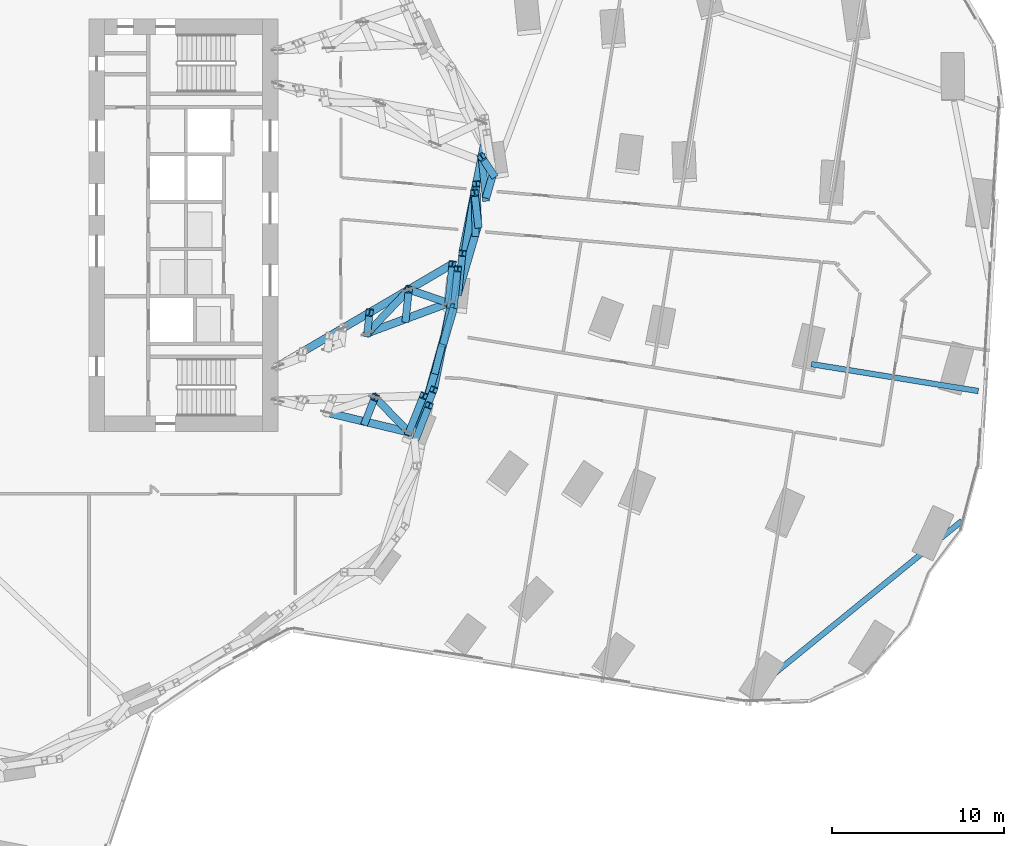
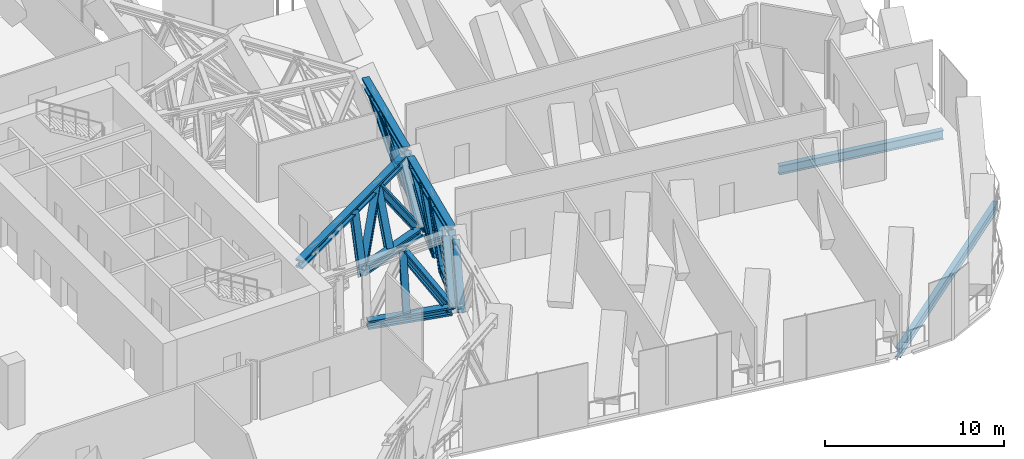
# One storey, part 10 of 39: 31 members, 2 beams.
"""IFC4 building model written with IfcOpenShell, lengths in metres."""

from ifc_helpers import new_model, si_unit, direction, frame, origin, origin_2d, place, context, subcontext, project, spatial, i_section, extrude, material, material_profile, profile_set, type_object, element, save


model = new_model("IFC4")

# Units and contexts
model_context = context("Model", 3, precision=1e-05, world=origin(), true_north=direction((0.0, 1.0)))
body_context = subcontext(model_context, "Body", "Model", "MODEL_VIEW")
ifc_project = project(units=[si_unit("LENGTHUNIT", "METRE"), si_unit("AREAUNIT", "SQUARE_METRE"), si_unit("VOLUMEUNIT", "CUBIC_METRE"), si_unit("PLANEANGLEUNIT", "RADIAN"), si_unit("MASSUNIT", "GRAM", prefix="KILO")], contexts=[model_context])

# Site, building, storey
site_placement = place(None, origin())
site = spatial("IfcSite", under=ifc_project, at=site_placement, CompositionType="ELEMENT")
building_placement = place(site_placement, origin())
building = spatial("IfcBuilding", under=site, at=building_placement, Name="Orlundy Tower", CompositionType="ELEMENT")
storey_placement = place(building_placement, frame((0.0, 0.0, 141.199951171875)))
storey = spatial("IfcBuildingStorey", under=building, at=storey_placement, Name="L36", CompositionType="ELEMENT", Elevation=141.199951171875)

# Members
ifc_material_1 = material(Name="Steel ASTM A992 Gr 50", Category="steel")
ifc_material_profile_1 = material_profile(ifc_material_1, i_section(OverallWidth=0.4423828125, OverallDepth=0.531494140625, WebThickness=0.06591796875, FlangeThickness=0.105712890625, at=origin_2d()), Name="W14X605")
ifc_profile_set_1 = profile_set([ifc_material_profile_1], Name="Steel ASTM A992 Gr 50")
member_type_1 = type_object("IfcMemberType", Name="BELT TRUSS chord W14X605", PredefinedType="CHORD", material=ifc_profile_set_1)
member_1_placement = place(storey_placement, frame((27.20361328125, -11.69091796875, 0.28466796875), z_axis=(0.280626617513, 0.959817014614, 0.0), x_axis=(-0.959817014614, 0.280626617513, 0.0)))
element("IfcMember", 1, at=member_1_placement, inside=storey, type_object=member_type_1, Name="Belt truss bottom chord BT-11", PredefinedType="CHORD", context=body_context, shape_type="SweptSolid", body=[
    extrude(i_section(OverallWidth=0.4423828125, OverallDepth=0.531494140625, WebThickness=0.06591796875, FlangeThickness=0.105712890625, at=origin_2d()), origin(), (0.0, 0.0, 1.0), 3.365966796875),
])
member_2_placement = place(storey_placement, frame((28.597412109375, -6.924560546875, 0.28466796875), z_axis=(0.280505801426, 0.959852329979, 0.0), x_axis=(-0.959852329979, 0.280505801426, 0.0)))
element("IfcMember", 2, at=member_2_placement, inside=storey, type_object=member_type_1, Name="Belt truss bottom chord BT-112", PredefinedType="CHORD", context=body_context, shape_type="SweptSolid", body=[
    extrude(i_section(OverallWidth=0.4423828125, OverallDepth=0.531494140625, WebThickness=0.06591796875, FlangeThickness=0.105712890625, at=origin_2d()), origin(), (0.0, 0.0, 1.0), 2.20556640625),
])
member_3_placement = place(storey_placement, frame((28.048828125, -9.56494140625, 3.71533203125), z_axis=(0.195926267739, 0.980618630054, 0.0), x_axis=(-0.980618630054, 0.195926267739, 0.0)))
element("IfcMember", 3, at=member_3_placement, inside=storey, type_object=member_type_1, Name="Belt truss top chord BT-11", PredefinedType="CHORD", context=body_context, shape_type="SweptSolid", body=[
    extrude(i_section(OverallWidth=0.4423828125, OverallDepth=0.531494140625, WebThickness=0.06591796875, FlangeThickness=0.105712890625, at=origin_2d()), origin(), (0.0, 0.0, 1.0), 7.171142578125),
])
member_4_placement = place(storey_placement, frame((29.4814453125, -3.900634765625, 0.28466796875), z_axis=(0.280758762331, 0.959778368882, 0.0), x_axis=(-0.959778368882, 0.280758762331, 0.0)))
element("IfcMember", 4, at=member_4_placement, inside=storey, type_object=member_type_1, Name="Belt truss bottom chord BT-12", PredefinedType="CHORD", context=body_context, shape_type="SweptSolid", body=[
    extrude(i_section(OverallWidth=0.4423828125, OverallDepth=0.531494140625, WebThickness=0.06591796875, FlangeThickness=0.105712890625, at=origin_2d()), origin(), (0.0, 0.0, 1.0), 4.114013671875),
])
member_5_placement = place(storey_placement, frame((31.085693359375, 1.58349609375, 0.28466796875), z_axis=(0.280714260672, 0.959791385591, 0.0), x_axis=(-0.959791385591, 0.280714260672, 0.0)))
element("IfcMember", 5, at=member_5_placement, inside=storey, type_object=member_type_1, Name="Belt truss bottom chord BT-122", PredefinedType="CHORD", context=body_context, shape_type="SweptSolid", body=[
    extrude(i_section(OverallWidth=0.4423828125, OverallDepth=0.531494140625, WebThickness=0.06591796875, FlangeThickness=0.105712890625, at=origin_2d()), origin(), (0.0, 0.0, 1.0), 1.456787109375),
])
member_6_placement = place(storey_placement, frame((29.71923828125, -1.62548828125, 3.71533203125), z_axis=(0.195932808893, 0.980617323118, 0.0), x_axis=(-0.980617323118, 0.195932808893, 0.0)))
element("IfcMember", 6, at=member_6_placement, inside=storey, type_object=member_type_1, Name="Belt truss top chord BT-12", PredefinedType="CHORD", context=body_context, shape_type="SweptSolid", body=[
    extrude(i_section(OverallWidth=0.4423828125, OverallDepth=0.531494140625, WebThickness=0.06591796875, FlangeThickness=0.105712890625, at=origin_2d()), origin(), (0.0, 0.0, 1.0), 7.1708984375),
])
ifc_material_2 = material(Name="Steel ASTM A992 Gr 50", Category="steel")
ifc_material_profile_2 = material_profile(ifc_material_2, i_section(OverallWidth=0.42431640625, OverallDepth=0.47412109375, WebThickness=0.0478515625, FlangeThickness=0.0771484375, at=origin_2d()), Name="W14X426")
ifc_profile_set_2 = profile_set([ifc_material_profile_2], Name="Steel ASTM A992 Gr 50")
member_type_2 = type_object("IfcMemberType", Name="BELT TRUSS diagonal W14X426", PredefinedType="BRACE", material=ifc_profile_set_2)
member_7_placement = place(storey_placement, frame((27.20361328125, -11.69091796875, 0.28466796875), z_axis=(0.228212166941, 0.822955880396, 0.520252655719), x_axis=(-0.963634583401, 0.267223482638, 0.0)))
element("IfcMember", 7, at=member_7_placement, inside=storey, type_object=member_type_2, Name="Belt truss diagonal BT-11-0", PredefinedType="BRACE", context=body_context, shape_type="SweptSolid", body=[
    extrude(i_section(OverallWidth=0.42431640625, OverallDepth=0.47412109375, WebThickness=0.0478515625, FlangeThickness=0.0771484375, at=origin_2d()), origin(), (0.0, 0.0, 1.0), 6.59423828125),
])
member_8_placement = place(storey_placement, frame((28.597412109375, -6.924560546875, 0.28466796875), z_axis=(0.151895792699, 0.778920585766, 0.608449167335), x_axis=(-0.98151159787, 0.191402673041, 0.0)))
element("IfcMember", 8, at=member_8_placement, inside=storey, type_object=member_type_2, Name="Belt truss diagonal BT-11-2", PredefinedType="BRACE", context=body_context, shape_type="SweptSolid", body=[
    extrude(i_section(OverallWidth=0.42431640625, OverallDepth=0.47412109375, WebThickness=0.0478515625, FlangeThickness=0.0771484375, at=origin_2d()), origin(), (0.0, 0.0, 1.0), 5.638427734375),
])
member_9_placement = place(storey_placement, frame((29.4814453125, -3.900634765625, 0.28466796875), z_axis=(0.138338491848, 0.852087516657, 0.504786415854), x_axis=(-0.987075783289, 0.160254167009, 0.0)))
element("IfcMember", 9, at=member_9_placement, inside=storey, type_object=member_type_2, Name="Belt truss diagonal BT-12-0", PredefinedType="BRACE", context=body_context, shape_type="SweptSolid", body=[
    extrude(i_section(OverallWidth=0.42431640625, OverallDepth=0.47412109375, WebThickness=0.0478515625, FlangeThickness=0.0771484375, at=origin_2d()), origin(), (0.0, 0.0, 1.0), 6.79638671875),
])
member_10_placement = place(storey_placement, frame((30.421630859375, 1.890380859375, 3.71533203125), z_axis=(0.055087184964, -0.472435210143, -0.879642185363), x_axis=(0.993270458862, 0.115817941407, 0.0)))
element("IfcMember", 10, at=member_10_placement, inside=storey, type_object=member_type_2, Name="Belt truss diagonal BT-12-1", PredefinedType="BRACE", context=body_context, shape_type="SweptSolid", body=[
    extrude(i_section(OverallWidth=0.42431640625, OverallDepth=0.47412109375, WebThickness=0.0478515625, FlangeThickness=0.0771484375, at=origin_2d()), origin(), (0.0, 0.0, 1.0), 3.900146484375),
])
member_11_placement = place(storey_placement, frame((30.8388671875, 3.977783203125, 3.71533203125), z_axis=(0.180549367733, -0.274252204151, -0.94455685606), x_axis=(0.835248836088, 0.549872150425, 0.0)))
element("IfcMember", 11, at=member_11_placement, inside=storey, type_object=member_type_2, Name="Belt truss diagonal BT-12-3", PredefinedType="BRACE", context=body_context, shape_type="SweptSolid", body=[
    extrude(i_section(OverallWidth=0.42431640625, OverallDepth=0.47412109375, WebThickness=0.0478515625, FlangeThickness=0.0771484375, at=origin_2d()), origin(), (0.0, 0.0, 1.0), 3.632080078125),
])
ifc_material_3 = material(Name="Steel ASTM A992 Gr 50", Category="steel")
ifc_material_profile_3 = material_profile(ifc_material_3, i_section(OverallWidth=0.412109375, OverallDepth=0.434814453125, WebThickness=0.035888671875, FlangeThickness=0.057373046875, at=origin_2d()), Name="W14X311")
ifc_profile_set_3 = profile_set([ifc_material_profile_3], Name="Steel ASTM A992 Gr 50")
member_type_3 = type_object("IfcMemberType", Name="BELT TRUSS post W14X311", PredefinedType="POST", material=ifc_profile_set_3)
for number, where, z_axis, x_axis, name in (
    (12, (26.9384765625, -12.597900390625, 0.28466796875), (0.204972885669, 0.515570158408, 0.831969667656), (-0.929254749715, 0.369439589287, 0.0), "Belt truss post BT-10-2"),
    (13, (27.20361328125, -11.69091796875, 0.28466796875), (0.204972885669, 0.515570158408, 0.831969667656), (-0.929254749715, 0.369439589287, 0.0), "Belt truss post BT-11-0"),
):
    element("IfcMember", number, at=place(storey_placement, frame(where, z_axis=z_axis, x_axis=x_axis)), inside=storey, type_object=member_type_3, Name=name, PredefinedType="POST", context=body_context, shape_type="SweptSolid", body=[
        extrude(i_section(OverallWidth=0.412109375, OverallDepth=0.434814453125, WebThickness=0.035888671875, FlangeThickness=0.057373046875, at=origin_2d()), origin(), (0.0, 0.0, 1.0), 4.12353515625),
    ])
member_12_placement = place(storey_placement, frame((28.148193359375, -8.460205078125, 0.01904296875), z_axis=(0.129227264674, 0.506492046076, 0.852505789615), x_axis=(-0.9689588998, 0.247221864929, 0.0)))
element("IfcMember", 14, at=member_12_placement, inside=storey, type_object=member_type_3, Name="Belt truss post BT-11-1", PredefinedType="POST", context=body_context, shape_type="SweptSolid", body=[
    extrude(i_section(OverallWidth=0.412109375, OverallDepth=0.434814453125, WebThickness=0.035888671875, FlangeThickness=0.057373046875, at=origin_2d()), origin(), (0.0, 0.0, 1.0), 4.335693359375),
])
member_13_placement = place(storey_placement, frame((28.597412109375, -6.924560546875, 0.01904296875), z_axis=(0.097829689642, 0.513971746905, 0.852210299872), x_axis=(-0.982363041361, 0.186983568709, 0.0)))
element("IfcMember", 15, at=member_13_placement, inside=storey, type_object=member_type_3, Name="Belt truss post BT-11-2", PredefinedType="POST", context=body_context, shape_type="SweptSolid", body=[
    extrude(i_section(OverallWidth=0.412109375, OverallDepth=0.434814453125, WebThickness=0.035888671875, FlangeThickness=0.057373046875, at=origin_2d()), origin(), (0.0, 0.0, 1.0), 4.33740234375),
])
for number, where, z_axis, x_axis, name in (
    (16, (29.216064453125, -4.8076171875, 0.28466796875), (0.057671261281, 0.551725680303, 0.832029325995), (-0.9945812229, 0.103962450215, 0.0), "Belt truss post BT-11-3"),
    (17, (29.4814453125, -3.900634765625, 0.28466796875), (0.057669377262, 0.551766865204, 0.832002145063), (-0.994582376357, 0.103951414805, 0.0), "Belt truss post BT-12-0"),
):
    element("IfcMember", number, at=place(storey_placement, frame(where, z_axis=z_axis, x_axis=x_axis)), inside=storey, type_object=member_type_3, Name=name, PredefinedType="POST", context=body_context, shape_type="SweptSolid", body=[
        extrude(i_section(OverallWidth=0.412109375, OverallDepth=0.434814453125, WebThickness=0.035888671875, FlangeThickness=0.057373046875, at=origin_2d()), origin(), (0.0, 0.0, 1.0), 4.123291015625),
    ])
member_14_placement = place(storey_placement, frame((30.488037109375, -0.45947265625, 0.28466796875), z_axis=(-0.015967619311, 0.565030646576, 0.82491539176), x_axis=(-0.99960093255, -0.028248462717, 0.0)))
element("IfcMember", 18, at=member_14_placement, inside=storey, type_object=member_type_3, Name="Belt truss post BT-12-1", PredefinedType="POST", context=body_context, shape_type="SweptSolid", body=[
    extrude(i_section(OverallWidth=0.412109375, OverallDepth=0.434814453125, WebThickness=0.035888671875, FlangeThickness=0.057373046875, at=origin_2d()), origin(), (0.0, 0.0, 1.0), 4.15869140625),
])
member_15_placement = place(storey_placement, frame((30.636474609375, 0.0478515625, 0.01904296875), z_axis=(-0.025319404393, 0.538106902148, 0.842496225286), x_axis=(-0.998894854532, -0.047000740311, 0.0)))
element("IfcMember", 19, at=member_15_placement, inside=storey, type_object=member_type_3, Name="Belt truss post BT-12-2", PredefinedType="POST", context=body_context, shape_type="SweptSolid", body=[
    extrude(i_section(OverallWidth=0.412109375, OverallDepth=0.434814453125, WebThickness=0.035888671875, FlangeThickness=0.057373046875, at=origin_2d()), origin(), (0.0, 0.0, 1.0), 4.38720703125),
])
member_16_placement = place(storey_placement, frame((31.085693359375, 1.58349609375, 0.01904296875), z_axis=(-0.055958164491, 0.542810800359, 0.837988734316), x_axis=(-0.994728246153, -0.102546166703, 0.0)))
element("IfcMember", 20, at=member_16_placement, inside=storey, type_object=member_type_3, Name="Belt truss post BT-12-3", PredefinedType="POST", context=body_context, shape_type="SweptSolid", body=[
    extrude(i_section(OverallWidth=0.412109375, OverallDepth=0.434814453125, WebThickness=0.035888671875, FlangeThickness=0.057373046875, at=origin_2d()), origin(), (0.0, 0.0, 1.0), 4.410888671875),
])

# Beams
ifc_material_4 = material(Name="Steel ASTM A992 Gr 50", Category="steel")
ifc_material_profile_4 = material_profile(ifc_material_4, i_section(OverallWidth=0.32373046875, OverallDepth=0.611083984375, WebThickness=0.0126953125, FlangeThickness=0.01904296875, at=origin_2d()), Name="W24X104")
ifc_profile_set_4 = profile_set([ifc_material_profile_4], Name="Steel ASTM A992 Gr 50")
beam_type = type_object("IfcBeamType", Name="CANTILEVER GIRDER beam W24X104", PredefinedType="BEAM", material=ifc_profile_set_4)
beam_1_placement = place(storey_placement, frame((58.76708984375, -17.197265625, -0.755615234375), z_axis=(-0.775484066879, -0.631367137264, 0.0), x_axis=(0.631367137264, -0.775484066879, 0.0)))
element("IfcBeam", 21, at=beam_1_placement, inside=storey, type_object=beam_type, Name="Cantilever girder C-A2-5 L36", PredefinedType="BEAM", context=body_context, shape_type="SweptSolid", body=[
    extrude(i_section(OverallWidth=0.32373046875, OverallDepth=0.611083984375, WebThickness=0.0126953125, FlangeThickness=0.01904296875, at=origin_2d()), origin(), (0.0, 0.0, 1.0), 15.37353515625),
])
beam_2_placement = place(storey_placement, frame((59.724365234375, -9.63720703125, -0.755615234375), z_axis=(-0.987237719912, 0.159253522355, 0.0), x_axis=(-0.159253522355, -0.987237719912, 0.0)))
element("IfcBeam", 22, at=beam_2_placement, inside=storey, type_object=beam_type, Name="Cantilever girder C-A3-5 L36", PredefinedType="BEAM", context=body_context, shape_type="SweptSolid", body=[
    extrude(i_section(OverallWidth=0.32373046875, OverallDepth=0.611083984375, WebThickness=0.0126953125, FlangeThickness=0.01904296875, at=origin_2d()), origin(), (0.0, 0.0, 1.0), 9.829833984375),
])

# Members
ifc_material_5 = material(Name="Steel ASTM A992 Gr 50", Category="steel")
ifc_material_profile_5 = material_profile(ifc_material_5, i_section(OverallWidth=0.454345703125, OverallDepth=0.569580078125, WebThickness=0.077880859375, FlangeThickness=0.124755859375, at=origin_2d()), Name="W14X730")
ifc_profile_set_5 = profile_set([ifc_material_profile_5], Name="Steel ASTM A992 Gr 50")
member_type_4 = type_object("IfcMemberType", Name="OUTRIGGER TRUSS chord W14X730", PredefinedType="CHORD", material=ifc_profile_set_5)
member_17_placement = place(storey_placement, frame((21.840576171875, -10.887451171875, 0.28466796875), z_axis=(0.972311832233, -0.233687186, 0.0), x_axis=(0.233687186, 0.972311832233, 0.0)))
element("IfcMember", 23, at=member_17_placement, inside=storey, type_object=member_type_4, Name="Outrigger truss bottom chord OR-E-C-H062", PredefinedType="CHORD", context=body_context, shape_type="SweptSolid", body=[
    extrude(i_section(OverallWidth=0.454345703125, OverallDepth=0.569580078125, WebThickness=0.077880859375, FlangeThickness=0.124755859375, at=origin_2d()), origin(), (0.0, 0.0, 1.0), 4.9072265625),
])
member_18_placement = place(storey_placement, frame((24.190185546875, -6.267578125, 0.28466796875), z_axis=(0.937585875641, 0.347753829308, 0.0), x_axis=(-0.347753829308, 0.937585875641, 0.0)))
element("IfcMember", 24, at=member_18_placement, inside=storey, type_object=member_type_4, Name="Outrigger truss bottom chord OR-E-C-H053", PredefinedType="CHORD", context=body_context, shape_type="SweptSolid", body=[
    extrude(i_section(OverallWidth=0.454345703125, OverallDepth=0.569580078125, WebThickness=0.077880859375, FlangeThickness=0.124755859375, at=origin_2d()), origin(), (0.0, 0.0, 1.0), 5.029541015625),
])
member_19_placement = place(storey_placement, frame((18.97998046875, -8.199951171875, 3.71533203125), z_axis=(0.862750344626, 0.505630144323, 0.0), x_axis=(-0.505630144323, 0.862750344626, 0.0)))
element("IfcMember", 25, at=member_19_placement, inside=storey, type_object=member_type_4, Name="Outrigger truss top chord OR-E-C-H05", PredefinedType="CHORD", context=body_context, shape_type="SweptSolid", body=[
    extrude(i_section(OverallWidth=0.454345703125, OverallDepth=0.569580078125, WebThickness=0.077880859375, FlangeThickness=0.124755859375, at=origin_2d()), origin(), (0.0, 0.0, 1.0), 11.780517578125),
])
ifc_material_6 = material(Name="Steel ASTM A992 Gr 50", Category="steel")
ifc_material_profile_6 = material_profile(ifc_material_6, i_section(OverallWidth=0.43212890625, OverallDepth=0.497802734375, WebThickness=0.0556640625, FlangeThickness=0.0888671875, at=origin_2d()), Name="W14X500")
ifc_profile_set_6 = profile_set([ifc_material_profile_6], Name="Steel ASTM A992 Gr 50")
member_type_5 = type_object("IfcMemberType", Name="OUTRIGGER TRUSS diagonal W14X500", PredefinedType="BRACE", material=ifc_profile_set_6)
member_20_placement = place(storey_placement, frame((24.63134765625, -10.00537109375, 3.71533203125), z_axis=(0.444989873955, -0.455851313186, -0.77083305089), x_axis=(0.715580354836, 0.698530425804, 0.0)))
element("IfcMember", 26, at=member_20_placement, inside=storey, type_object=member_type_5, Name="Outrigger truss diagonal OR-E-C-H06-3", PredefinedType="BRACE", context=body_context, shape_type="SweptSolid", body=[
    extrude(i_section(OverallWidth=0.43212890625, OverallDepth=0.497802734375, WebThickness=0.0556640625, FlangeThickness=0.0888671875, at=origin_2d()), origin(), (0.0, 0.0, 1.0), 4.45068359375),
])
member_21_placement = place(storey_placement, frame((24.190185546875, -6.267578125, 0.28466796875), z_axis=(0.492269020939, 0.517278539056, 0.70006722824), x_axis=(-0.724401685911, 0.68937812371, 0.0)))
element("IfcMember", 27, at=member_21_placement, inside=storey, type_object=member_type_5, Name="Outrigger truss diagonal OR-E-C-H05-4", PredefinedType="BRACE", context=body_context, shape_type="SweptSolid", body=[
    extrude(i_section(OverallWidth=0.43212890625, OverallDepth=0.497802734375, WebThickness=0.0556640625, FlangeThickness=0.0888671875, at=origin_2d()), origin(), (0.0, 0.0, 1.0), 4.900390625),
])
member_22_placement = place(storey_placement, frame((26.6025390625, -3.732666015625, 3.71533203125), z_axis=(0.54758121945, -0.186841630847, -0.815625534843), x_axis=(0.322931285668, 0.94642241348, 0.0)))
element("IfcMember", 28, at=member_22_placement, inside=storey, type_object=member_type_5, Name="Outrigger truss diagonal OR-E-C-H05-5", PredefinedType="BRACE", context=body_context, shape_type="SweptSolid", body=[
    extrude(i_section(OverallWidth=0.43212890625, OverallDepth=0.497802734375, WebThickness=0.0556640625, FlangeThickness=0.0888671875, at=origin_2d()), origin(), (0.0, 0.0, 1.0), 4.2060546875),
])
ifc_material_7 = material(Name="Steel ASTM A992 Gr 50", Category="steel")
ifc_material_profile_7 = material_profile(ifc_material_7, i_section(OverallWidth=0.41845703125, OverallDepth=0.455078125, WebThickness=0.0419921875, FlangeThickness=0.067626953125, at=origin_2d()), Name="W14X370")
ifc_profile_set_7 = profile_set([ifc_material_profile_7], Name="Steel ASTM A992 Gr 50")
member_type_6 = type_object("IfcMemberType", Name="OUTRIGGER TRUSS post W14X370", PredefinedType="POST", material=ifc_profile_set_7)
member_23_placement = place(storey_placement, frame((24.06787109375, -11.422607421875, 0.28466796875), z_axis=(0.150084311367, 0.377486753676, 0.913771552567), x_axis=(-0.929247466795, 0.369457907556, 0.0)))
element("IfcMember", 29, at=member_23_placement, inside=storey, type_object=member_type_6, Name="Outrigger truss post OR-E-C-H06-3", PredefinedType="POST", context=body_context, shape_type="SweptSolid", body=[
    extrude(i_section(OverallWidth=0.41845703125, OverallDepth=0.455078125, WebThickness=0.0419921875, FlangeThickness=0.067626953125, at=origin_2d()), origin(), (0.0, 0.0, 1.0), 3.75439453125),
])
member_24_placement = place(storey_placement, frame((26.61181640625, -12.0341796875, 0.28466796875), z_axis=(0.204909910325, 0.515619881255, 0.831954365759), x_axis=(-0.929305937354, 0.369310810562, 0.0)))
element("IfcMember", 30, at=member_24_placement, inside=storey, type_object=member_type_6, Name="Outrigger truss post OR-E-C-H06-4", PredefinedType="POST", context=body_context, shape_type="SweptSolid", body=[
    extrude(i_section(OverallWidth=0.41845703125, OverallDepth=0.455078125, WebThickness=0.0419921875, FlangeThickness=0.067626953125, at=origin_2d()), origin(), (0.0, 0.0, 1.0), 4.12353515625),
])
member_25_placement = place(storey_placement, frame((24.190185546875, -6.267578125, 0.0), z_axis=(0.031951212696, 0.305881276928, 0.951533375364), x_axis=(-0.994588687901, 0.103891009713, 0.0)))
element("IfcMember", 31, at=member_25_placement, inside=storey, type_object=member_type_6, Name="Outrigger truss post OR-E-C-H05-4", PredefinedType="POST", context=body_context, shape_type="SweptSolid", body=[
    extrude(i_section(OverallWidth=0.41845703125, OverallDepth=0.455078125, WebThickness=0.0419921875, FlangeThickness=0.067626953125, at=origin_2d()), origin(), (0.0, 0.0, 1.0), 3.904541015625),
])
member_26_placement = place(storey_placement, frame((26.42431640625, -5.43896484375, 0.28466796875), z_axis=(0.04646405327, 0.444845573021, 0.894401200758), x_axis=(-0.994589346157, 0.103884707783, 0.0)))
element("IfcMember", 32, at=member_26_placement, inside=storey, type_object=member_type_6, Name="Outrigger truss post OR-E-C-H05-5", PredefinedType="POST", context=body_context, shape_type="SweptSolid", body=[
    extrude(i_section(OverallWidth=0.41845703125, OverallDepth=0.455078125, WebThickness=0.0419921875, FlangeThickness=0.067626953125, at=origin_2d()), origin(), (0.0, 0.0, 1.0), 3.835693359375),
])
member_27_placement = place(storey_placement, frame((28.90576171875, -4.5185546875, 0.28466796875), z_axis=(0.057669377262, 0.551766865204, 0.832002145063), x_axis=(-0.994582376357, 0.103951414805, 0.0)))
element("IfcMember", 33, at=member_27_placement, inside=storey, type_object=member_type_6, Name="Outrigger truss post OR-E-C-H05-6", PredefinedType="POST", context=body_context, shape_type="SweptSolid", body=[
    extrude(i_section(OverallWidth=0.41845703125, OverallDepth=0.455078125, WebThickness=0.0419921875, FlangeThickness=0.067626953125, at=origin_2d()), origin(), (0.0, 0.0, 1.0), 4.123291015625),
])

save(model, "model.ifc")
